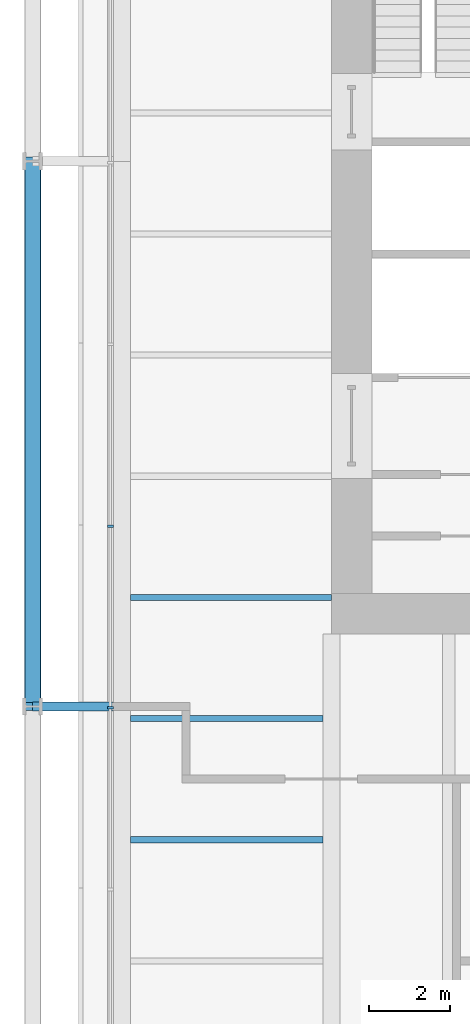
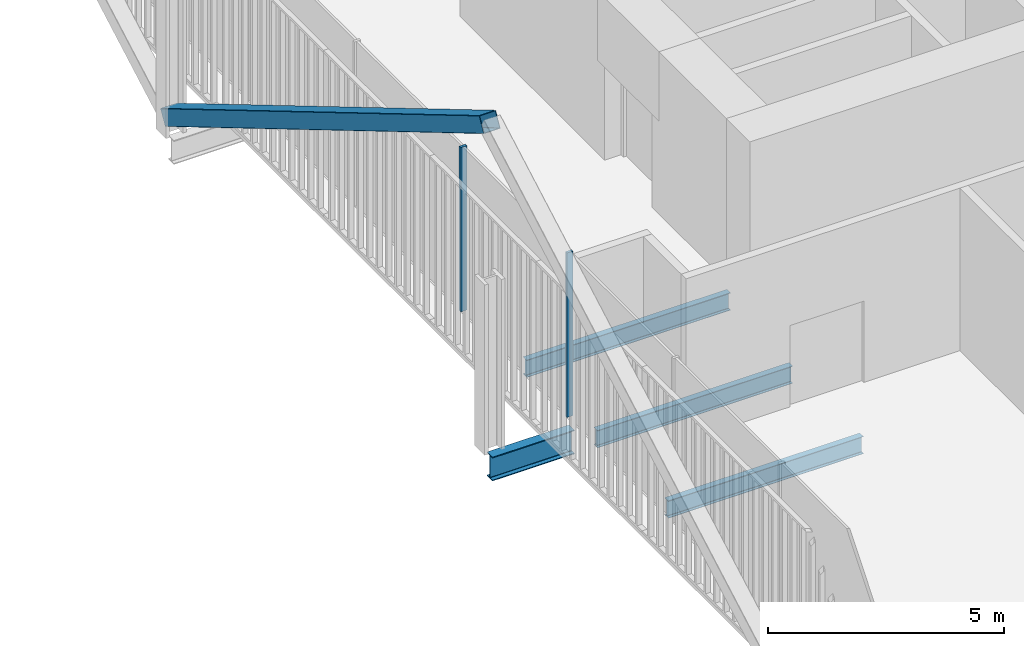
# One storey, part 5 of 21: 4 beams, 3 members, 1 element without a shape of its own.
"""IFC4 building model written with IfcOpenShell, lengths in metres."""

from ifc_helpers import new_model, si_unit, direction, frame, origin, origin_2d, place, context, subcontext, project, spatial, rectangle, hollow_rectangle, i_section, extrude, material, layer, layer_set, material_profile, profile_set, type_object, element, aggregate, save


model = new_model("IFC4")

# Units and contexts
model_context = context("Model", 3, precision=1e-05, world=origin(), true_north=direction((0.0, 1.0)))
body_context = subcontext(model_context, "Body", "Model", "MODEL_VIEW")
ifc_project = project(units=[si_unit("LENGTHUNIT", "METRE"), si_unit("AREAUNIT", "SQUARE_METRE"), si_unit("VOLUMEUNIT", "CUBIC_METRE"), si_unit("PLANEANGLEUNIT", "RADIAN"), si_unit("MASSUNIT", "GRAM", prefix="KILO")], contexts=[model_context])

# Site, building, storey
site_placement = place(None, origin())
site = spatial("IfcSite", under=ifc_project, at=site_placement, CompositionType="ELEMENT")
building_placement = place(site_placement, origin())
building = spatial("IfcBuilding", under=site, at=building_placement, Name="Millrace Tower", CompositionType="ELEMENT")
storey_placement = place(building_placement, frame((0.0, 0.0, 95.199951171875)))
storey = spatial("IfcBuildingStorey", under=building, at=storey_placement, Name="L21", CompositionType="ELEMENT", Elevation=95.199951171875)

# Curtain wall, members
ifc_material_1 = material(Name="Aluminium and glass", Category="aluminium")
ifc_layer = layer(ifc_material_1, 0.14990234375)
ifc_layer_set = layer_set([ifc_layer], Name="Aluminium and glass")
curtain_wall_type = type_object("IfcCurtainWallType", Name="CW-3 telecom floor curtain wall", PredefinedType="NOTDEFINED", material=ifc_layer_set)
curtain_wall_placement = place(storey_placement, origin())
curtain_wall = element("IfcCurtainWall", 1, at=curtain_wall_placement, inside=storey, type_object=curtain_wall_type, Name="Curtain wall B-F08 L21", PredefinedType="NOTDEFINED")
ifc_material_2 = material(Name="Aluminium", Category="aluminium")
ifc_material_profile_1 = material_profile(ifc_material_2, rectangle(XDim=0.06494140625, YDim=0.14990234375, at=origin_2d()))
ifc_profile_set_1 = profile_set([ifc_material_profile_1], Name="Aluminium")
member_type_1 = type_object("IfcMemberType", Name="CW-3 telecom floor curtain wall mullion", PredefinedType="MULLION", material=ifc_profile_set_1)
member_1_placement = place(storey_placement, frame((-20.375, -7.232421875, 0.150146484375), z_axis=(0.0, 0.0, 1.0), x_axis=(0.0, -1.0, 0.0)))
member_1 = element("IfcMember", 2, at=member_1_placement, type_object=member_type_1, Name="CW3 mullion B-F08.6", PredefinedType="MULLION", context=body_context, shape_type="SweptSolid", body=[
    extrude(rectangle(XDim=0.06494140625, YDim=0.14990234375, at=origin_2d()), origin(), (0.0, 0.0, 1.0), 4.25),
])
member_2_placement = place(storey_placement, frame((-20.375, -11.732421875, 0.150146484375), z_axis=(0.0, 0.0, 1.0), x_axis=(0.0, -1.0, 0.0)))
member_2 = element("IfcMember", 3, at=member_2_placement, type_object=member_type_1, Name="CW3 mullion B-F08.7", PredefinedType="MULLION", context=body_context, shape_type="SweptSolid", body=[
    extrude(rectangle(XDim=0.06494140625, YDim=0.14990234375, at=origin_2d()), origin(), (0.0, 0.0, 1.0), 4.25),
])
aggregate(curtain_wall, [member_1, member_2])

# Member
ifc_material_3 = material(Name="Steel ASTM A500 Grade C", Category="steel")
ifc_material_profile_2 = material_profile(ifc_material_3, hollow_rectangle(XDim=0.406494140625, YDim=0.406494140625, WallThickness=0.0126953125, InnerFilletRadius=0.00634765625, OuterFilletRadius=0.01904296875, at=origin_2d()))
ifc_profile_set_2 = profile_set([ifc_material_profile_2], Name="Steel ASTM A500 Grade C")
member_type_2 = type_object("IfcMemberType", Name="Exoskeleton brace HSS16x16x1/2", PredefinedType="BRACE", material=ifc_profile_set_2)
member_3_placement = place(storey_placement, frame((-22.300048828125, 1.800048828125, 0.400146484375), z_axis=(0.0, -0.860291533634, 0.509802390302), x_axis=(1.0, 0.0, 0.0)))
element("IfcMember", 4, at=member_3_placement, inside=storey, type_object=member_type_2, Name="BRC-B-L21-15", PredefinedType="BRACE", context=body_context, shape_type="SweptSolid", body=[
    extrude(hollow_rectangle(XDim=0.406494140625, YDim=0.406494140625, WallThickness=0.0126953125, InnerFilletRadius=0.00634765625, OuterFilletRadius=0.01904296875, at=origin_2d()), origin(), (0.0, 0.0, 1.0), 15.6923828125),
])

# Beams
ifc_material_4 = material(Name="Steel ASTM A992 Grade 50", Category="steel")
ifc_material_profile_3 = material_profile(ifc_material_4, i_section(OverallWidth=0.15234375, OverallDepth=0.449462890625, WebThickness=0.007568359375, FlangeThickness=0.0107421875, FilletRadius=0.01025390625, at=origin_2d()))
ifc_profile_set_3 = profile_set([ifc_material_profile_3], Name="Steel ASTM A992 Grade 50")
beam_type_1 = type_object("IfcBeamType", Name="Floor beam W18x35", PredefinedType="JOIST", material=ifc_profile_set_3)
for number, where, z_axis, x_axis, name in (
    (5, (-19.880859375, -15.0, -0.4248046875), (1.0, 0.0, 0.0), (0.0, 1.0, 0.0), "BM-B-L21-S1-S009"),
    (6, (-19.880859375, -12.0, -0.4248046875), (1.0, 0.0, 0.0), (0.0, 1.0, 0.0), "BM-B-L21-S1-S011"),
):
    element("IfcBeam", number, at=place(storey_placement, frame(where, z_axis=z_axis, x_axis=x_axis)), inside=storey, type_object=beam_type_1, Name=name, PredefinedType="JOIST", context=body_context, shape_type="SweptSolid", body=[
        extrude(i_section(OverallWidth=0.15234375, OverallDepth=0.449462890625, WebThickness=0.007568359375, FlangeThickness=0.0107421875, FilletRadius=0.01025390625, at=origin_2d()), origin(), (0.0, 0.0, 1.0), 4.77001953125),
    ])
beam_1_placement = place(storey_placement, frame((-19.880859375, -9.0, -0.4248046875), z_axis=(1.0, 0.0, 0.0), x_axis=(0.0, 1.0, 0.0)))
element("IfcBeam", 7, at=beam_1_placement, inside=storey, type_object=beam_type_1, Name="BM-B-L21-S1-S014", PredefinedType="JOIST", context=body_context, shape_type="SweptSolid", body=[
    extrude(i_section(OverallWidth=0.15234375, OverallDepth=0.449462890625, WebThickness=0.007568359375, FlangeThickness=0.0107421875, FilletRadius=0.01025390625, at=origin_2d()), origin(), (0.0, 0.0, 1.0), 4.98095703125),
])
ifc_material_5 = material(Name="Steel ASTM A992 Grade 50", Category="steel")
ifc_material_profile_4 = material_profile(ifc_material_5, i_section(OverallWidth=0.23046875, OverallDepth=0.6171875, WebThickness=0.01318359375, FlangeThickness=0.022216796875, FilletRadius=0.012939453125, at=origin_2d()))
ifc_profile_set_4 = profile_set([ifc_material_profile_4], Name="Steel ASTM A992 Grade 50")
beam_type_2 = type_object("IfcBeamType", Name="Link beam W24x94", PredefinedType="BEAM", material=ifc_profile_set_4)
beam_2_placement = place(storey_placement, frame((-20.300048828125, -11.699951171875, -0.508544921875), z_axis=(-1.0, 0.0, 0.0), x_axis=(0.0, -1.0, 0.0)))
element("IfcBeam", 8, at=beam_2_placement, inside=storey, type_object=beam_type_2, Name="LNK-B-L21-S1-02", PredefinedType="BEAM", context=body_context, shape_type="SweptSolid", body=[
    extrude(i_section(OverallWidth=0.23046875, OverallDepth=0.6171875, WebThickness=0.01318359375, FlangeThickness=0.022216796875, FilletRadius=0.012939453125, at=origin_2d()), origin(), (0.0, 0.0, 1.0), 2.0),
])

save(model, "model.ifc")
